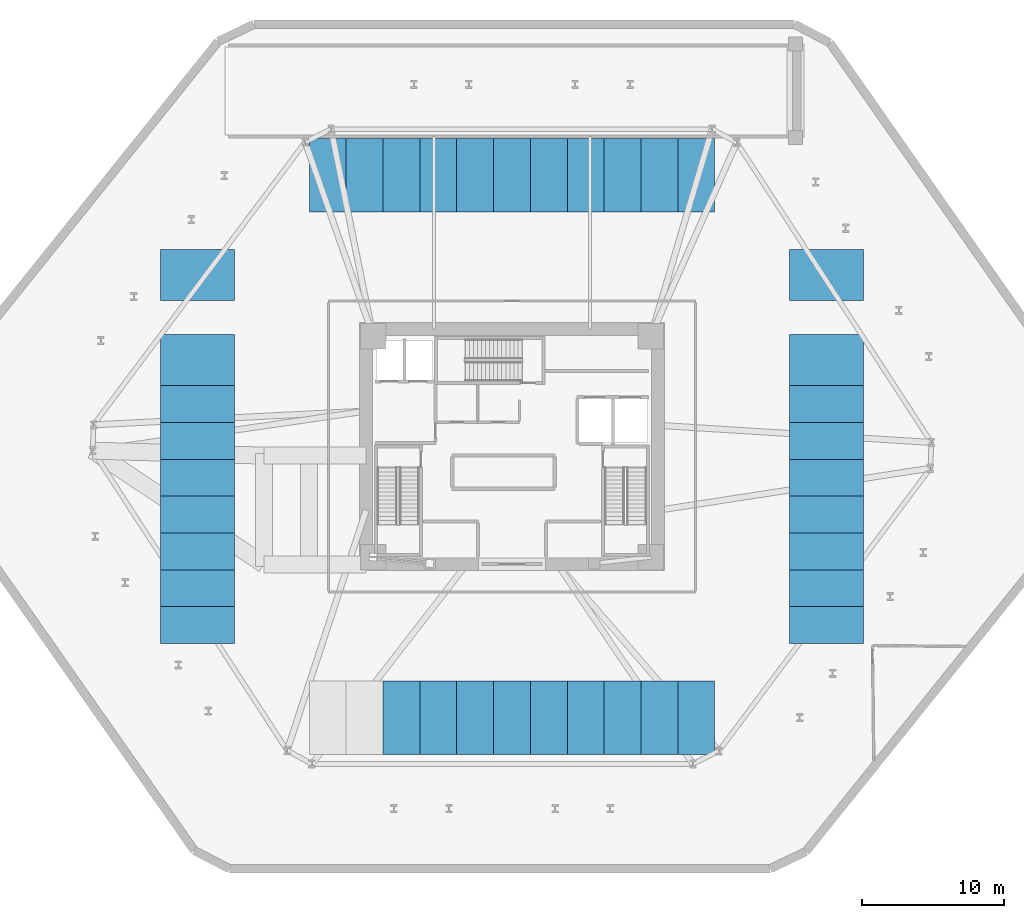
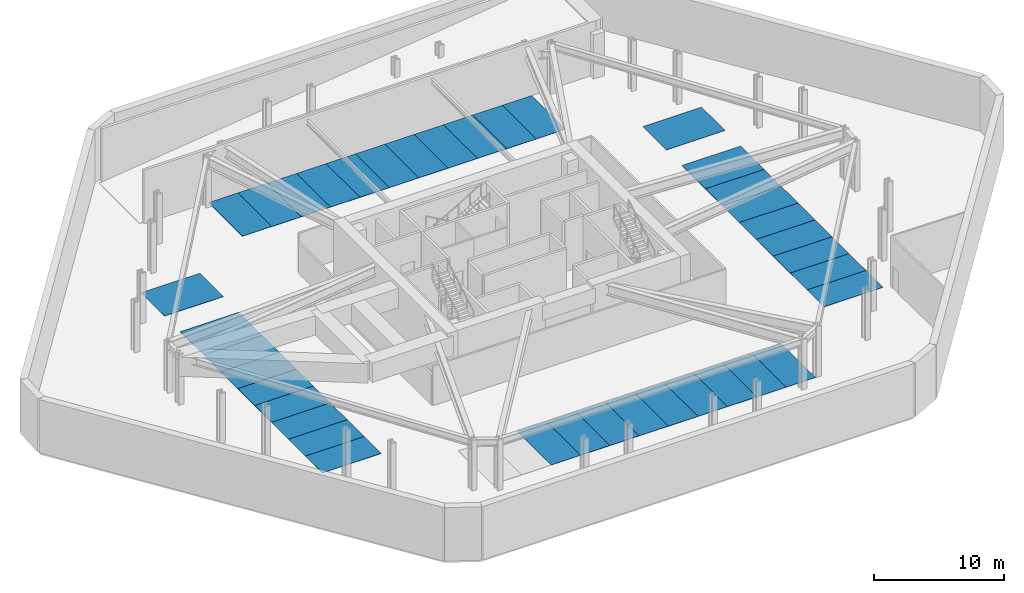
# One storey, part 7 of 8: 38 discrete accessories.
"""IFC4 building model written with IfcOpenShell, lengths in metres."""

from ifc_helpers import new_model, si_unit, direction, frame, origin, origin_2d, place, context, subcontext, project, spatial, rectangle, extrude, source, transform, mapped, material, type_object, type_shapes, element, save


model = new_model("IFC4")

# Units and contexts
model_context = context("Model", 3, precision=1e-05, world=origin(), true_north=direction((0.0, 1.0)))
body_context = subcontext(model_context, "Body", "Model", "MODEL_VIEW")
ifc_project = project(units=[si_unit("LENGTHUNIT", "METRE"), si_unit("AREAUNIT", "SQUARE_METRE"), si_unit("VOLUMEUNIT", "CUBIC_METRE"), si_unit("PLANEANGLEUNIT", "RADIAN"), si_unit("MASSUNIT", "GRAM", prefix="KILO")], contexts=[model_context])

# Site, building, storey
site_placement = place(None, origin())
site = spatial("IfcSite", under=ifc_project, at=site_placement, CompositionType="ELEMENT")
building_placement = place(site_placement, origin())
building = spatial("IfcBuilding", under=site, at=building_placement, Name="Durnholm Broadcast Tower", CompositionType="ELEMENT")
storey_placement = place(building_placement, frame((0.0, 0.0, -5.0)))
storey = spatial("IfcBuildingStorey", under=building, at=storey_placement, Name="B01", CompositionType="ELEMENT", Elevation=-5.0)

# Discrete accessories
ifc_material_1 = material(Name="Thermoplastic Traffic Striping Paint", Category="coating")
discrete_accessory_type_1 = type_object("IfcDiscreteAccessoryType", Name="ACC-PARK-STD", PredefinedType="USERDEFINED", material=ifc_material_1)
shared_shape_1 = source(origin(), body_context, "Body", "SweptSolid", [
    extrude(rectangle(XDim=2.60009765625, YDim=5.199951171875, at=origin_2d()), origin(), (0.0, 0.0, 1.0), 0.02001953125),
])
for number, where, z_axis, x_axis, name in (
    (1, (-13.0, 19.14990234375, 0.0), (0.0, 0.0, 1.0), (1.0, 0.0, 0.0), "B01 Standard Parking Bay Marking PK-01"),
    (2, (-10.39990234375, 19.14990234375, 0.0), (0.0, 0.0, 1.0), (1.0, 0.0, 0.0), "B01 Standard Parking Bay Marking PK-02"),
    (3, (-7.800048828125, 19.14990234375, 0.0), (0.0, 0.0, 1.0), (1.0, 0.0, 0.0), "B01 Standard Parking Bay Marking PK-03"),
    (4, (-5.199951171875, 19.14990234375, 0.0), (0.0, 0.0, 1.0), (1.0, 0.0, 0.0), "B01 Standard Parking Bay Marking PK-04"),
    (5, (-2.60009765625, 19.14990234375, 0.0), (0.0, 0.0, 1.0), (1.0, 0.0, 0.0), "B01 Standard Parking Bay Marking PK-05"),
    (6, (0.0, 19.14990234375, 0.0), (0.0, 0.0, 1.0), (1.0, 0.0, 0.0), "B01 Standard Parking Bay Marking PK-06"),
    (7, (2.60009765625, 19.14990234375, 0.0), (0.0, 0.0, 1.0), (1.0, 0.0, 0.0), "B01 Standard Parking Bay Marking PK-07"),
    (8, (5.199951171875, 19.14990234375, 0.0), (0.0, 0.0, 1.0), (1.0, 0.0, 0.0), "B01 Standard Parking Bay Marking PK-08"),
    (9, (7.800048828125, 19.14990234375, 0.0), (0.0, 0.0, 1.0), (1.0, 0.0, 0.0), "B01 Standard Parking Bay Marking PK-09"),
    (10, (10.39990234375, 19.14990234375, 0.0), (0.0, 0.0, 1.0), (1.0, 0.0, 0.0), "B01 Standard Parking Bay Marking PK-10"),
    (11, (13.0, 19.14990234375, 0.0), (0.0, 0.0, 1.0), (1.0, 0.0, 0.0), "B01 Standard Parking Bay Marking PK-11"),
    (12, (-7.800048828125, -19.14990234375, 0.0), (0.0, 0.0, 1.0), (1.0, 0.0, 0.0), "B01 Standard Parking Bay Marking PK-14"),
    (13, (-5.199951171875, -19.14990234375, 0.0), (0.0, 0.0, 1.0), (1.0, 0.0, 0.0), "B01 Standard Parking Bay Marking PK-15"),
    (14, (-2.60009765625, -19.14990234375, 0.0), (0.0, 0.0, 1.0), (1.0, 0.0, 0.0), "B01 Standard Parking Bay Marking PK-16"),
    (15, (0.0, -19.14990234375, 0.0), (0.0, 0.0, 1.0), (1.0, 0.0, 0.0), "B01 Standard Parking Bay Marking PK-17"),
    (16, (2.60009765625, -19.14990234375, 0.0), (0.0, 0.0, 1.0), (1.0, 0.0, 0.0), "B01 Standard Parking Bay Marking PK-18"),
    (17, (5.199951171875, -19.14990234375, 0.0), (0.0, 0.0, 1.0), (1.0, 0.0, 0.0), "B01 Standard Parking Bay Marking PK-19"),
    (18, (7.800048828125, -19.14990234375, 0.0), (0.0, 0.0, 1.0), (1.0, 0.0, 0.0), "B01 Standard Parking Bay Marking PK-20"),
    (19, (10.39990234375, -19.14990234375, 0.0), (0.0, 0.0, 1.0), (1.0, 0.0, 0.0), "B01 Standard Parking Bay Marking PK-21"),
    (20, (13.0, -19.14990234375, 0.0), (0.0, 0.0, 1.0), (1.0, 0.0, 0.0), "B01 Standard Parking Bay Marking PK-22"),
):
    element("IfcDiscreteAccessory", number, at=place(storey_placement, frame(where, z_axis=z_axis, x_axis=x_axis)), inside=storey, type_object=discrete_accessory_type_1, Name=name, ObjectType="PARKING_BAY_MARKING", PredefinedType="USERDEFINED", context=body_context, shape_type="MappedRepresentation", body=[
        mapped(shared_shape_1, transform((0.0, 0.0, 0.0), x_axis=(1.0, 0.0, 0.0), y_axis=(0.0, 1.0, 0.0), z_axis=(0.0, 0.0, 1.0), scale=1.0)),
    ])
shared_shape_2 = source(origin(), body_context, "Body", "SweptSolid", [
    extrude(rectangle(XDim=5.199951171875, YDim=2.60009765625, at=origin_2d()), origin(), (0.0, 0.0, 1.0), 0.02001953125),
])
type_shapes(discrete_accessory_type_1, [shared_shape_1, shared_shape_2])
for number, where, z_axis, x_axis, name in (
    (21, (-22.199951171875, -12.60009765625, 0.0), (0.0, 0.0, 1.0), (1.0, 0.0, 0.0), "B01 Standard Parking Bay Marking PK-23"),
    (22, (-22.199951171875, -10.0, 0.0), (0.0, 0.0, 1.0), (1.0, 0.0, 0.0), "B01 Standard Parking Bay Marking PK-24"),
    (23, (-22.199951171875, -7.39990234375, 0.0), (0.0, 0.0, 1.0), (1.0, 0.0, 0.0), "B01 Standard Parking Bay Marking PK-25"),
    (24, (-22.199951171875, -4.800048828125, 0.0), (0.0, 0.0, 1.0), (1.0, 0.0, 0.0), "B01 Standard Parking Bay Marking PK-26"),
    (25, (-22.199951171875, -2.199951171875, 0.0), (0.0, 0.0, 1.0), (1.0, 0.0, 0.0), "B01 Standard Parking Bay Marking PK-27"),
    (26, (-22.199951171875, 0.39990234375, 0.0), (0.0, 0.0, 1.0), (1.0, 0.0, 0.0), "B01 Standard Parking Bay Marking PK-28"),
    (27, (-22.199951171875, 3.0, 0.0), (0.0, 0.0, 1.0), (1.0, 0.0, 0.0), "B01 Standard Parking Bay Marking PK-29"),
    (28, (22.199951171875, -12.60009765625, 0.0), (0.0, 0.0, 1.0), (1.0, 0.0, 0.0), "B01 Standard Parking Bay Marking PK-30"),
    (29, (22.199951171875, -10.0, 0.0), (0.0, 0.0, 1.0), (1.0, 0.0, 0.0), "B01 Standard Parking Bay Marking PK-31"),
    (30, (22.199951171875, -7.39990234375, 0.0), (0.0, 0.0, 1.0), (1.0, 0.0, 0.0), "B01 Standard Parking Bay Marking PK-32"),
    (31, (22.199951171875, -4.800048828125, 0.0), (0.0, 0.0, 1.0), (1.0, 0.0, 0.0), "B01 Standard Parking Bay Marking PK-33"),
    (32, (22.199951171875, -2.199951171875, 0.0), (0.0, 0.0, 1.0), (1.0, 0.0, 0.0), "B01 Standard Parking Bay Marking PK-34"),
    (33, (22.199951171875, 0.39990234375, 0.0), (0.0, 0.0, 1.0), (1.0, 0.0, 0.0), "B01 Standard Parking Bay Marking PK-35"),
    (34, (22.199951171875, 3.0, 0.0), (0.0, 0.0, 1.0), (1.0, 0.0, 0.0), "B01 Standard Parking Bay Marking PK-36"),
):
    element("IfcDiscreteAccessory", number, at=place(storey_placement, frame(where, z_axis=z_axis, x_axis=x_axis)), inside=storey, type_object=discrete_accessory_type_1, Name=name, ObjectType="PARKING_BAY_MARKING", PredefinedType="USERDEFINED", context=body_context, shape_type="MappedRepresentation", body=[
        mapped(shared_shape_2, transform((0.0, 0.0, 0.0), x_axis=(1.0, 0.0, 0.0), y_axis=(0.0, 1.0, 0.0), z_axis=(0.0, 0.0, 1.0), scale=1.0)),
    ])
ifc_material_2 = material(Name="Thermoplastic Accessible Striping Paint", Category="coating")
discrete_accessory_type_2 = type_object("IfcDiscreteAccessoryType", Name="ACC-PARK-ADA", PredefinedType="USERDEFINED", material=ifc_material_2)
shared_shape_3 = source(origin(), body_context, "Body", "SweptSolid", [
    extrude(rectangle(XDim=5.199951171875, YDim=3.60009765625, at=origin_2d()), origin(), (0.0, 0.0, 1.0), 0.02001953125),
])
type_shapes(discrete_accessory_type_2, [shared_shape_3])
for number, where, z_axis, x_axis, name in (
    (35, (-22.199951171875, 6.10009765625, 0.0), (0.0, 0.0, 1.0), (1.0, 0.0, 0.0), "B01 Accessible Van Parking Bay Marking PK-37"),
    (36, (-22.199951171875, 12.10009765625, 0.0), (0.0, 0.0, 1.0), (1.0, 0.0, 0.0), "B01 Accessible Van Parking Bay Marking PK-38"),
    (37, (22.199951171875, 6.10009765625, 0.0), (0.0, 0.0, 1.0), (1.0, 0.0, 0.0), "B01 Accessible Van Parking Bay Marking PK-39"),
    (38, (22.199951171875, 12.10009765625, 0.0), (0.0, 0.0, 1.0), (1.0, 0.0, 0.0), "B01 Accessible Van Parking Bay Marking PK-40"),
):
    element("IfcDiscreteAccessory", number, at=place(storey_placement, frame(where, z_axis=z_axis, x_axis=x_axis)), inside=storey, type_object=discrete_accessory_type_2, Name=name, ObjectType="PARKING_BAY_MARKING", PredefinedType="USERDEFINED", context=body_context, shape_type="MappedRepresentation", body=[
        mapped(shared_shape_3, transform((0.0, 0.0, 0.0), x_axis=(1.0, 0.0, 0.0), y_axis=(0.0, 1.0, 0.0), z_axis=(0.0, 0.0, 1.0), scale=1.0)),
    ])

save(model, "model.ifc")
